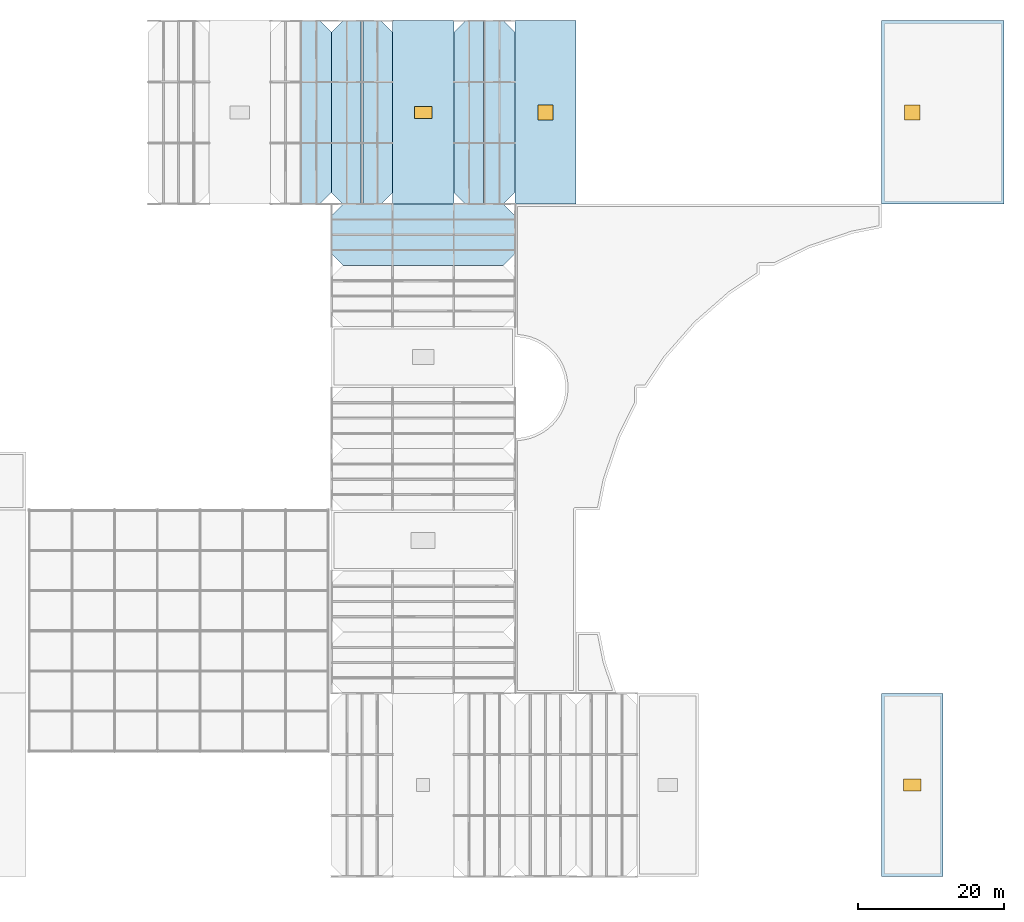
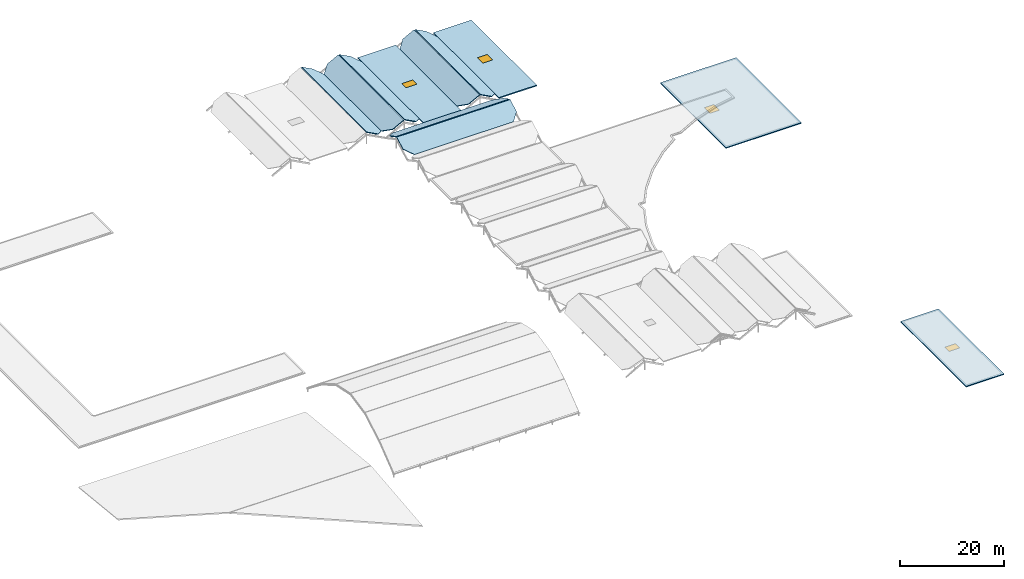
# One storey, part 76 of 82: 11 slabs, 4 windows, 4 openings.
"""IFC4 building model written with IfcOpenShell, lengths in metres."""

import ifcopenshell
import ifcopenshell.guid

model = None  # the IFC model being written
_history = None  # IfcOwnerHistory: only IFC2X3 demands one
_inside = {}  # id of a spatial element -> (the spatial element, [elements in it])
_under = {}  # id of a project, library or spatial element -> (it, [spatial elements below it])
_declared = {}  # id of a project -> (the project, [libraries it declares])
_typed = {}  # id of a type object -> (the type object, [elements of that type])
_made_of = {}  # id of a material, layer set ... -> (it, [elements and type objects made of it])


def new_model(schema):
    """Start an empty IFC model of exactly this schema.

    Asked for "IFC4X3", IfcOpenShell would pick the latest addendum, in which some entities
    have other attributes; the version numbers below select the first issue.
    IFC2X3 requires an IfcOwnerHistory on every rooted entity: one is made here for all.
    """
    global model, _history
    if schema == "IFC4X3":
        model = ifcopenshell.file(schema_version=(4, 3, 0, 0))
    else:
        model = ifcopenshell.file(schema=schema)
    _inside.clear()
    _under.clear()
    _declared.clear()
    _typed.clear()
    _made_of.clear()
    _history = None
    if model.schema == "IFC2X3":
        org = make("IfcOrganization", Name="unknown")
        user = make(
            "IfcPersonAndOrganization",
            ThePerson=make("IfcPerson", FamilyName="unknown"),
            TheOrganization=org,
        )
        app = make(
            "IfcApplication",
            ApplicationDeveloper=org,
            Version="unknown",
            ApplicationFullName="unknown",
            ApplicationIdentifier="unknown",
        )
        _history = make(
            "IfcOwnerHistory",
            OwningUser=user,
            OwningApplication=app,
            ChangeAction="ADDED",
            CreationDate=0,
        )
    return model


def make(cls, **values):
    """One entity of the class cls with the attributes given. An attribute that is None is left unset."""
    return model.create_entity(
        cls, **{name: value for name, value in values.items() if value is not None}
    )


def rooted(cls, **values):
    """An entity with a GlobalId (a new one), such as an element, a storey or a relation."""
    return make(cls, GlobalId=ifcopenshell.guid.new(), OwnerHistory=_history, **values)


def si_unit(unit_type, name, prefix=None):
    """IfcSIUnit, for example si_unit("LENGTHUNIT", "METRE", prefix="MILLI")."""
    return make("IfcSIUnit", UnitType=unit_type, Prefix=prefix, Name=name)


def assignment(units):
    """IfcUnitAssignment: the units of a project."""
    return None if units is None else make("IfcUnitAssignment", Units=units)


def point(xyz):
    """IfcCartesianPoint."""
    return None if xyz is None else make("IfcCartesianPoint", Coordinates=xyz)


def direction(xyz):
    """IfcDirection."""
    return None if xyz is None else make("IfcDirection", DirectionRatios=xyz)


def frame(location, z_axis=None, x_axis=None):
    """IfcAxis2Placement3D, a coordinate frame: its origin and axes. An axis left out is left unset."""
    return make(
        "IfcAxis2Placement3D",
        Location=point(location),
        Axis=direction(z_axis),
        RefDirection=direction(x_axis),
    )


def frame_2d(location, x_axis=None):
    """IfcAxis2Placement2D, a coordinate frame in the plane: its origin and x axis."""
    return make(
        "IfcAxis2Placement2D", Location=point(location), RefDirection=direction(x_axis)
    )


def origin():
    """The frame at (0, 0, 0) with its axes left unset."""
    return frame((0.0, 0.0, 0.0))


def origin_2d():
    """The frame at (0, 0) in the plane with its x axis left unset."""
    return frame_2d((0.0, 0.0))


def place(relative_to, where):
    """IfcLocalPlacement: puts the frame where relative to a parent placement (None: the world)."""
    return make(
        "IfcLocalPlacement", PlacementRelTo=relative_to, RelativePlacement=where
    )


def context(
    kind, dimensions, precision=None, world=None, true_north=None, identifier=None
):
    """IfcGeometricRepresentationContext, for example the 3D "Model" context."""
    return make(
        "IfcGeometricRepresentationContext",
        ContextIdentifier=identifier,
        ContextType=kind,
        CoordinateSpaceDimension=dimensions,
        Precision=precision,
        WorldCoordinateSystem=world,
        TrueNorth=true_north,
    )


def subcontext(parent, identifier, kind, view, scale=None):
    """IfcGeometricRepresentationSubContext, for example "Body" below "Model"."""
    return make(
        "IfcGeometricRepresentationSubContext",
        ContextIdentifier=identifier,
        ContextType=kind,
        ParentContext=parent,
        TargetScale=scale,
        TargetView=view,
    )


def project(units=None, contexts=None):
    """IfcProject with its units and contexts."""
    return rooted(
        "IfcProject",
        Name="project",
        RepresentationContexts=contexts,
        UnitsInContext=assignment(units),
    )


def spatial(cls, under=None, at=None, **own):
    """A site, building, storey or space (cls), placed at a placement, below another one or the project."""
    s = rooted(cls, ObjectPlacement=at, **own)
    if under is not None:
        _under.setdefault(under.id(), (under, []))[1].append(s)
    return s


def polyline(points):
    """IfcPolyline through the points."""
    return make("IfcPolyline", Points=[point(p) for p in points])


def profile(cls, at=None, kind="AREA", **sizes):
    """A parametric profile (cls). Its sizes go by their IFC names, for example OverallWidth=200.0."""
    return make(cls, ProfileType=kind, Position=at, **sizes)


def rectangle(**sizes):
    """IfcRectangleProfileDef."""
    return profile("IfcRectangleProfileDef", **sizes)


def outline(outer, holes=None, kind="AREA"):
    """IfcArbitraryClosedProfileDef: a profile drawn as a closed curve; with holes, ...WithVoids."""
    if holes is None:
        return make("IfcArbitraryClosedProfileDef", ProfileType=kind, OuterCurve=outer)
    return make(
        "IfcArbitraryProfileDefWithVoids",
        ProfileType=kind,
        OuterCurve=outer,
        InnerCurves=holes,
    )


def extrude(swept, where, along, depth):
    """IfcExtrudedAreaSolid: the profile swept, set in the frame where, extruded along a direction by depth."""
    return make(
        "IfcExtrudedAreaSolid",
        SweptArea=swept,
        Position=where,
        ExtrudedDirection=direction(along),
        Depth=depth,
    )


def shape(context_of_items, identifier, shape_type, items):
    """IfcShapeRepresentation: the items that make up one representation, for example the "Body"."""
    return make(
        "IfcShapeRepresentation",
        ContextOfItems=context_of_items,
        RepresentationIdentifier=identifier,
        RepresentationType=shape_type,
        Items=items,
    )


def material(Name=None, Category=None):
    """IfcMaterial."""
    return make("IfcMaterial", Name=Name, Category=Category)


def layer(
    of_material, thickness, ventilated=None, Name=None, Category=None, Priority=None
):
    """IfcMaterialLayer: one layer of a wall or slab, of a material (None: an air gap)."""
    return make(
        "IfcMaterialLayer",
        Material=of_material,
        LayerThickness=thickness,
        IsVentilated=ventilated,
        Name=Name,
        Category=Category,
        Priority=Priority,
    )


def layer_set(layers, Name=None):
    """IfcMaterialLayerSet."""
    return make("IfcMaterialLayerSet", MaterialLayers=layers, LayerSetName=Name)


def made_of(thing, what):
    """Note that an element or type object is made of a material, layer set ...; save() writes the relation."""
    if what is not None:
        _made_of.setdefault(what.id(), (what, []))[1].append(thing)
    return thing


def type_object(cls, material=None, **own):
    """A type object (cls), such as IfcWallType, which elements share."""
    return made_of(rooted(cls, **own), material)


def element(
    cls,
    number,
    at=None,
    inside=None,
    cuts=None,
    type_object=None,
    material=None,
    context=None,
    identifier="Body",
    shape_type=None,
    held_by="IfcProductDefinitionShape",
    body=None,
    shapes=None,
    **own,
):
    """One element of the class cls, such as IfcWall. Its Tag is "e" and its number.

    at: its placement. inside: the storey or other place that contains it. cuts: it is an
    opening in that element (IfcRelVoidsElement). A single representation is given by context,
    identifier, shape_type and body (its items); several are given by shapes. held_by: the class
    of the entity that holds the representations. save() writes the other relations.
    """
    e = rooted(cls, Tag="e%d" % number, ObjectPlacement=at, **own)
    if body is not None:
        shapes = [shape(context, identifier, shape_type, body)]
    if shapes is not None:
        e.Representation = make(held_by, Representations=shapes)
    if inside is not None:
        _inside.setdefault(inside.id(), (inside, []))[1].append(e)
    if cuts is not None:
        rooted(
            "IfcRelVoidsElement", RelatingBuildingElement=cuts, RelatedOpeningElement=e
        )
    if type_object is not None:
        _typed.setdefault(type_object.id(), (type_object, []))[1].append(e)
    return made_of(e, material)


def fill(opening, filler):
    """IfcRelFillsElement: the door or window that sits in an opening."""
    return rooted(
        "IfcRelFillsElement",
        RelatingOpeningElement=opening,
        RelatedBuildingElement=filler,
    )


def aggregate(whole, parts):
    """IfcRelAggregates: a whole, such as a stair, and the parts it consists of."""
    return rooted("IfcRelAggregates", RelatingObject=whole, RelatedObjects=parts)


def save(model, path):
    """Write the relations noted so far, then the file.

    IfcRelAggregates (storeys below a building ...), IfcRelContainedInSpatialStructure (elements
    in a storey), IfcRelDefinesByType, IfcRelAssociatesMaterial and IfcRelDeclares: one each for
    every whole, place, type object, material and project.
    """
    for whole, parts in _under.values():
        aggregate(whole, parts)
    for where, things in _inside.values():
        rooted(
            "IfcRelContainedInSpatialStructure",
            RelatedElements=things,
            RelatingStructure=where,
        )
    for kind, things in _typed.values():
        rooted("IfcRelDefinesByType", RelatedObjects=things, RelatingType=kind)
    for what, things in _made_of.values():
        rooted("IfcRelAssociatesMaterial", RelatedObjects=things, RelatingMaterial=what)
    for by, libraries in _declared.values():
        rooted("IfcRelDeclares", RelatingContext=by, RelatedDefinitions=libraries)
    model.write(path)


model = new_model("IFC4")

# Units and contexts
model_context = context("Model", 3, precision=1e-05, world=origin(), true_north=direction((0.0, 1.0)))
body_context = subcontext(model_context, "Body", "Model", "MODEL_VIEW")
ifc_project = project(units=[si_unit("LENGTHUNIT", "METRE"), si_unit("AREAUNIT", "SQUARE_METRE"), si_unit("VOLUMEUNIT", "CUBIC_METRE"), si_unit("PLANEANGLEUNIT", "RADIAN"), si_unit("MASSUNIT", "GRAM", prefix="KILO")], contexts=[model_context])

# Site, building, storey
site_placement = place(None, origin())
site = spatial("IfcSite", under=ifc_project, at=site_placement, CompositionType="ELEMENT")
building_placement = place(site_placement, origin())
building = spatial("IfcBuilding", under=site, at=building_placement, Name="Bramfleet General Hospital", CompositionType="ELEMENT")
storey_placement = place(building_placement, frame((0.0, 0.0, 34.199951171875)))
storey = spatial("IfcBuildingStorey", under=building, at=storey_placement, Name="Roof", CompositionType="ELEMENT", Elevation=34.199951171875)

# Slabs
ifc_material_1 = material(Name="Precast concrete C40/50", Category="concrete")
ifc_layer_1 = layer(ifc_material_1, 0.175048828125, Name="SL-RF-175")
ifc_layer_set_1 = layer_set([ifc_layer_1], Name="Precast concrete C40/50")
slab_type_1 = type_object("IfcSlabType", Name="SL-RF-175", PredefinedType="ROOF", material=ifc_layer_set_1)
slab_1_placement = place(storey_placement, frame((88.31494140625, 92.39990234375, 2.172119140625), z_axis=(0.469488135363, 0.0, 0.882938780864), x_axis=(0.882938780864, 0.0, -0.469488135363)))
element("IfcSlab", 1, at=slab_1_placement, inside=storey, type_object=slab_type_1, Name="Patient House PH-02 East Gable Roof", PredefinedType="ROOF", context=body_context, shape_type="SweptSolid", body=[
    extrude(outline(polyline([(0.0, 0.0), (2.8145272556147134, 0.0), (4.626554595151086, 1.6000976562499998), (4.626554595151086, 23.600097656249996), (2.8145272556147134, 25.200195312499996), (0.0, 25.200195312499996), (0.0, 0.0)])), origin(), (0.0, 0.0, -1.0), 0.175048828125),
])
slab_2_placement = place(storey_placement, frame((110.800048828125, 92.39990234375, 0.850830078125), z_axis=(-0.469489559717, 0.0, 0.882938023485), x_axis=(0.882938023485, 0.0, 0.469489559717)))
element("IfcSlab", 2, at=slab_2_placement, inside=storey, type_object=slab_type_1, Name="Patient House PH-04 West Gable Roof", PredefinedType="ROOF", context=body_context, shape_type="SweptSolid", body=[
    extrude(outline(polyline([(0.0, 0.0), (2.814311694390942, 0.0), (2.814311694390942, 25.2001953125), (0.0, 25.2001953125), (-1.812242900766275, 23.60009765625), (-1.812242900766275, 1.60009765625), (0.0, 0.0)])), origin(), (0.0, 0.0, -1.0), 0.175048828125),
])
slab_3_placement = place(storey_placement, frame((113.514892578125, 92.39990234375, 2.172119140625), z_axis=(0.469467128191, 0.0, 0.882949950761), x_axis=(0.882949950761, 0.0, -0.469467128191)))
element("IfcSlab", 3, at=slab_3_placement, inside=storey, type_object=slab_type_1, Name="Patient House PH-04 East Gable Roof", PredefinedType="ROOF", context=body_context, shape_type="SweptSolid", body=[
    extrude(outline(polyline([(0.0, 0.0), (2.8145272574613154, 0.0), (4.626770157615226, 1.60009765625), (4.626770157615226, 23.60009765625), (2.8145272574613154, 25.2001953125), (0.0, 25.2001953125), (0.0, 0.0)])), origin(), (0.0, 0.0, -1.0), 0.175048828125),
])
slab_4_placement = place(storey_placement, frame((94.0, 84.0, 0.0), z_axis=(0.0, -0.469489559717, 0.882938023485), x_axis=(1.0, 0.0, 0.0)))
element("IfcSlab", 4, at=slab_4_placement, inside=storey, type_object=slab_type_1, Name="Patient House PH-14 South Gable Roof", PredefinedType="ROOF", context=body_context, shape_type="SweptSolid", body=[
    extrude(outline(polyline([(0.0, 0.0), (22.0, 0.0), (23.60009765625, 1.812242900766275), (23.60009765625, 4.626554595157217), (-1.60009765625, 4.626554595157217), (-1.60009765625, 1.812242900766275), (0.0, 0.0)])), origin(), (0.0, 0.0, -1.0), 0.175048828125),
])
slab_5_placement = place(storey_placement, frame((92.39990234375, 88.31494140625, 2.172119140625), z_axis=(0.0, 0.469488135363, 0.882938780864), x_axis=(1.0, 0.0, 0.0)))
element("IfcSlab", 5, at=slab_5_placement, inside=storey, type_object=slab_type_1, Name="Patient House PH-14 North Gable Roof", PredefinedType="ROOF", context=body_context, shape_type="SweptSolid", body=[
    extrude(outline(polyline([(0.0, 0.0), (25.2001953125, 0.0), (25.2001953125, 2.8145272556147134), (23.60009765625, 4.626554595151086), (1.60009765625, 4.626554595151086), (0.0, 2.8145272556147134), (0.0, 0.0)])), origin(), (0.0, 0.0, -1.0), 0.175048828125),
])
ifc_layer_2 = layer(ifc_material_1, 0.18994140625, Name="SL-RF-190")
ifc_layer_set_2 = layer_set([ifc_layer_2], Name="Precast concrete C40/50")
slab_type_2 = type_object("IfcSlabType", Name="SL-RF-190", PredefinedType="ROOF", material=ifc_layer_set_2)
slab_6_placement = place(storey_placement, frame((94.0, 92.39990234375, 0.850830078125), z_axis=(-0.469467128191, 0.0, 0.882949950761), x_axis=(0.882949950761, 0.0, 0.469467128191)))
element("IfcSlab", 6, at=slab_6_placement, inside=storey, type_object=slab_type_2, Name="Patient House PH-03 West Gable Roof", PredefinedType="ROOF", context=body_context, shape_type="SweptSolid", body=[
    extrude(outline(polyline([(0.0, 0.0), (2.8145272574613154, 0.0), (2.8145272574613154, 25.2001953125), (0.0, 25.2001953125), (-1.8122429001539109, 23.60009765625), (-1.8122429001539109, 1.60009765625), (0.0, 0.0)])), origin(), (0.0, 0.0, -1.0), 0.18994140625),
])
slab_7_placement = place(storey_placement, frame((96.715087890625, 92.39990234375, 2.172119140625), z_axis=(0.469489559717, 0.0, 0.882938023485), x_axis=(0.882938023485, 0.0, -0.469489559717)))
element("IfcSlab", 7, at=slab_7_placement, inside=storey, type_object=slab_type_2, Name="Patient House PH-03 East Gable Roof", PredefinedType="ROOF", context=body_context, shape_type="SweptSolid", body=[
    extrude(outline(polyline([(0.0, 0.0), (2.814311694390942, 0.0), (4.626554595157217, 1.60009765625), (4.626554595157217, 23.60009765625), (2.814311694390942, 25.2001953125), (0.0, 25.2001953125), (0.0, 0.0)])), origin(), (0.0, 0.0, -1.0), 0.18994140625),
])

# Slab, opening, window
ifc_material_2 = material(Name="Concrete C35/45", Category="concrete")
ifc_layer_3 = layer(ifc_material_2, 0.219970703125, Name="SL-RF-220")
ifc_layer_set_3 = layer_set([ifc_layer_3], Name="Concrete C35/45")
slab_type_3 = type_object("IfcSlabType", Name="SL-RF-220", PredefinedType="ROOF", material=ifc_layer_set_3)
slab_8_placement = place(storey_placement, frame((0.0, 0.0, -29.619873046875)))
slab_8 = element("IfcSlab", 8, at=slab_8_placement, inside=storey, type_object=slab_type_3, Name="Level L00 Step-Back Flat Roof 1", PredefinedType="ROOF", context=body_context, shape_type="SweptSolid", body=[
    extrude(outline(polyline([(184.800048828125, 92.39990234375), (176.39990234375, 92.39990234375), (168.0, 92.39990234375), (168.0, 100.800048828125), (168.0, 109.199951171875), (168.0, 117.60009765625), (176.39990234375, 117.60009765625), (184.800048828125, 117.60009765625), (184.800048828125, 109.199951171875), (184.800048828125, 100.800048828125), (184.800048828125, 92.39990234375)])), origin(), (0.0, 0.0, 1.0), 0.219970703125),
])
opening_1_placement = place(slab_8_placement, frame((172.199951171875, 105.0, -0.010009765625)))
opening_1 = element("IfcOpeningElement", 9, at=opening_1_placement, cuts=slab_8, Name="Opening SK-02", PredefinedType="OPENING", context=body_context, shape_type="SweptSolid", body=[
    extrude(rectangle(XDim=2.10009765625, YDim=2.10009765625, at=origin_2d()), origin(), (0.0, 0.0, 1.0), 0.239990234375),
])
ifc_material_3 = material(Name="Thermally broken aluminium and laminated solar glass", Category="aluminium")
window_type_1 = type_object("IfcWindowType", Name="SKY-SK-02", PartitioningType="SINGLE_PANEL", PredefinedType="SKYLIGHT", material=ifc_material_3)
window_1_placement = place(slab_8_placement, frame((172.199951171875, 105.0, 0.169921875)))
window_1 = element("IfcWindow", 10, at=window_1_placement, inside=storey, type_object=window_type_1, Name="Roof Clinical Skylight 2", OverallHeight=2.10009765625, OverallWidth=2.10009765625, PartitioningType="SINGLE_PANEL", PredefinedType="SKYLIGHT", context=body_context, shape_type="SweptSolid", body=[
    extrude(rectangle(XDim=2.10009765625, YDim=2.10009765625, at=origin_2d()), origin(), (0.0, 0.0, 1.0), 0.050048828125),
])
fill(opening_1, window_1)

slab_9_placement = place(storey_placement, frame((0.0, 0.0, -29.619873046875)))
slab_9 = element("IfcSlab", 11, at=slab_9_placement, inside=storey, type_object=slab_type_3, Name="Level L00 Step-Back Flat Roof 2", PredefinedType="ROOF", context=body_context, shape_type="SweptSolid", body=[
    extrude(outline(polyline([(168.0, 0.0), (168.0, 8.39990234375), (168.0, 16.800048828125), (168.0, 25.199951171875), (176.39990234375, 25.199951171875), (176.39990234375, 16.800048828125), (176.39990234375, 8.39990234375), (176.39990234375, 0.0), (168.0, 0.0)])), origin(), (0.0, 0.0, 1.0), 0.219970703125),
])
opening_2_placement = place(slab_9_placement, frame((172.199951171875, 12.60009765625, -0.010009765625)))
opening_2 = element("IfcOpeningElement", 12, at=opening_2_placement, cuts=slab_9, Name="Opening SK-03", PredefinedType="OPENING", context=body_context, shape_type="SweptSolid", body=[
    extrude(rectangle(XDim=2.39990234375, YDim=1.60009765625, at=origin_2d()), origin(), (0.0, 0.0, 1.0), 0.239990234375),
])
window_type_2 = type_object("IfcWindowType", Name="SKY-SK-03", PartitioningType="SINGLE_PANEL", PredefinedType="SKYLIGHT", material=ifc_material_3)
window_2_placement = place(slab_9_placement, frame((172.199951171875, 12.60009765625, 0.169921875)))
window_2 = element("IfcWindow", 13, at=window_2_placement, inside=storey, type_object=window_type_2, Name="Roof Clinical Skylight 3", OverallHeight=1.60009765625, OverallWidth=2.39990234375, PartitioningType="SINGLE_PANEL", PredefinedType="SKYLIGHT", context=body_context, shape_type="SweptSolid", body=[
    extrude(rectangle(XDim=2.39990234375, YDim=1.60009765625, at=origin_2d()), origin(), (0.0, 0.0, 1.0), 0.050048828125),
])
fill(opening_2, window_2)

ifc_layer_4 = layer(ifc_material_2, 0.239990234375, Name="SL-RF-240")
ifc_layer_set_4 = layer_set([ifc_layer_4], Name="Concrete C35/45")
slab_type_4 = type_object("IfcSlabType", Name="SL-RF-240", PredefinedType="ROOF", material=ifc_layer_set_4)
slab_10_placement = place(storey_placement, frame((0.0, 0.0, -0.239990234375)))
slab_10 = element("IfcSlab", 14, at=slab_10_placement, inside=storey, type_object=slab_type_4, Name="Nurse-Station Link Flat Roof 4", PredefinedType="ROOF", context=body_context, shape_type="SweptSolid", body=[
    extrude(outline(polyline([(126.0, 117.60009765625), (126.0, 109.199951171875), (126.0, 100.800048828125), (126.0, 92.39990234375), (117.60009765625, 92.39990234375), (117.60009765625, 117.60009765625), (126.0, 117.60009765625)])), origin(), (0.0, 0.0, 1.0), 0.239990234375),
])
opening_3_placement = place(slab_10_placement, frame((121.800048828125, 105.0, -0.010009765625)))
opening_3 = element("IfcOpeningElement", 15, at=opening_3_placement, cuts=slab_10, Name="Opening SK-02", PredefinedType="OPENING", context=body_context, shape_type="SweptSolid", body=[
    extrude(rectangle(XDim=2.10009765625, YDim=2.10009765625, at=origin_2d()), origin(), (0.0, 0.0, 1.0), 0.260009765625),
])
window_3_placement = place(slab_10_placement, frame((121.800048828125, 105.0, 0.18994140625)))
window_3 = element("IfcWindow", 16, at=window_3_placement, inside=storey, type_object=window_type_1, Name="Roof Clinical Skylight 8", OverallHeight=2.10009765625, OverallWidth=2.10009765625, PartitioningType="SINGLE_PANEL", PredefinedType="SKYLIGHT", context=body_context, shape_type="SweptSolid", body=[
    extrude(rectangle(XDim=2.10009765625, YDim=2.10009765625, at=origin_2d()), origin(), (0.0, 0.0, 1.0), 0.050048828125),
])
fill(opening_3, window_3)

slab_11_placement = place(storey_placement, frame((0.0, 0.0, -0.239990234375)))
slab_11 = element("IfcSlab", 17, at=slab_11_placement, inside=storey, type_object=slab_type_4, Name="Nurse-Station Link Flat Roof 5", PredefinedType="ROOF", context=body_context, shape_type="SweptSolid", body=[
    extrude(outline(polyline([(109.199951171875, 117.60009765625), (109.199951171875, 92.39990234375), (100.800048828125, 92.39990234375), (100.800048828125, 117.60009765625), (109.199951171875, 117.60009765625)])), origin(), (0.0, 0.0, 1.0), 0.239990234375),
])
opening_4_placement = place(slab_11_placement, frame((105.0, 105.0, -0.010009765625)))
opening_4 = element("IfcOpeningElement", 18, at=opening_4_placement, cuts=slab_11, Name="Opening SK-03", PredefinedType="OPENING", context=body_context, shape_type="SweptSolid", body=[
    extrude(rectangle(XDim=2.39990234375, YDim=1.60009765625, at=origin_2d()), origin(), (0.0, 0.0, 1.0), 0.260009765625),
])
window_4_placement = place(slab_11_placement, frame((105.0, 105.0, 0.18994140625)))
window_4 = element("IfcWindow", 19, at=window_4_placement, inside=storey, type_object=window_type_2, Name="Roof Clinical Skylight 9", OverallHeight=1.60009765625, OverallWidth=2.39990234375, PartitioningType="SINGLE_PANEL", PredefinedType="SKYLIGHT", context=body_context, shape_type="SweptSolid", body=[
    extrude(rectangle(XDim=2.39990234375, YDim=1.60009765625, at=origin_2d()), origin(), (0.0, 0.0, 1.0), 0.050048828125),
])
fill(opening_4, window_4)

save(model, "model.ifc")
